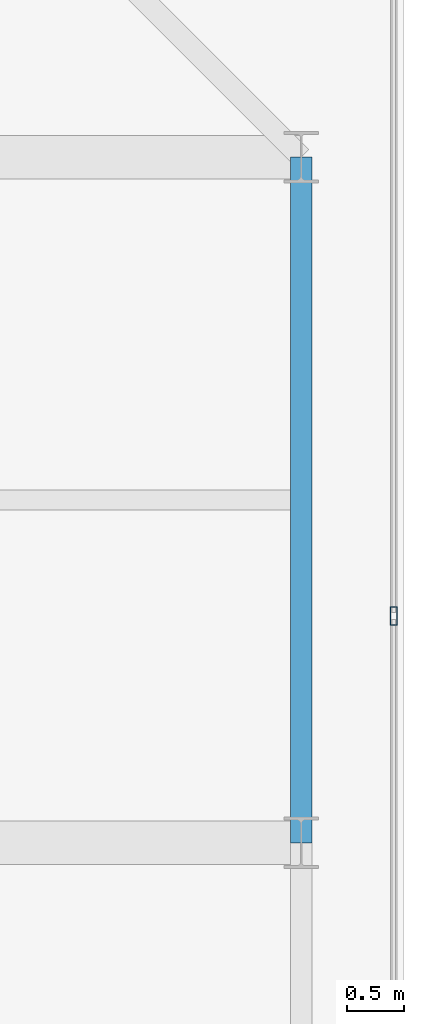
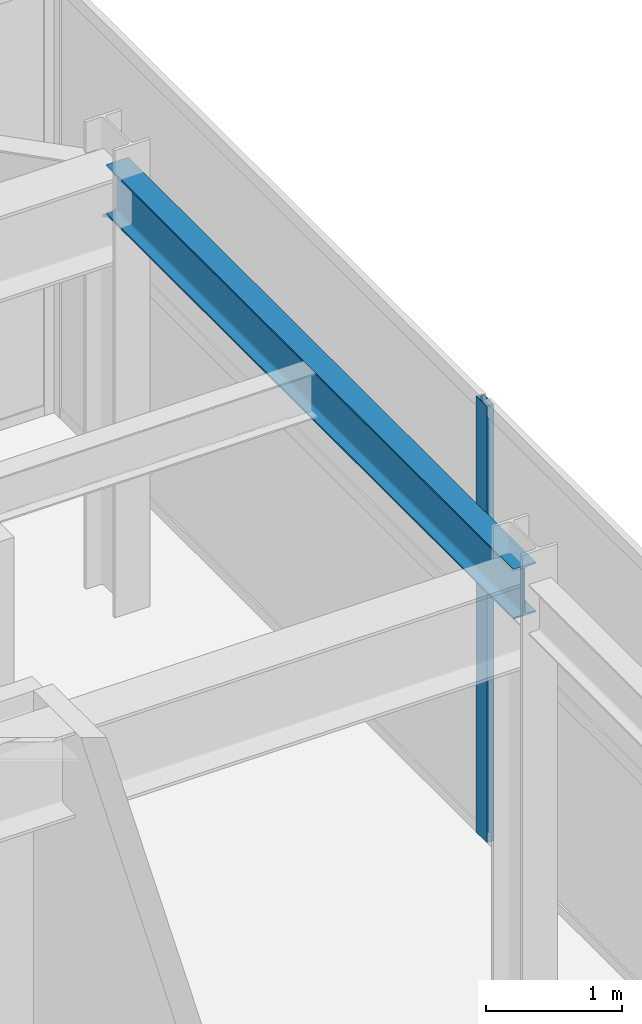
# One storey, part 19 of 32: 1 beam, 1 member, 1 element without a shape of its own.
"""IFC4 building model written with IfcOpenShell, lengths in metres."""

from ifc_helpers import new_model, si_unit, direction, frame, origin, origin_2d, place, context, subcontext, project, spatial, hollow_rectangle, i_section, extrude, source, transform, mapped, material, layer, layer_set, material_profile, profile_set, type_object, element, aggregate, save


model = new_model("IFC4")

# Units and contexts
model_context = context("Model", 3, precision=1e-05, world=origin(), true_north=direction((0.0, 1.0)))
body_context = subcontext(model_context, "Body", "Model", "MODEL_VIEW")
ifc_project = project(units=[si_unit("LENGTHUNIT", "METRE"), si_unit("AREAUNIT", "SQUARE_METRE"), si_unit("VOLUMEUNIT", "CUBIC_METRE"), si_unit("PLANEANGLEUNIT", "RADIAN"), si_unit("MASSUNIT", "GRAM", prefix="KILO")], contexts=[model_context])

# Site, building, storey
site_placement = place(None, origin())
site = spatial("IfcSite", under=ifc_project, at=site_placement, CompositionType="ELEMENT")
building_placement = place(site_placement, origin())
building = spatial("IfcBuilding", under=site, at=building_placement, Name="Khoralis Quay Care Tower", CompositionType="ELEMENT")
storey_placement = place(building_placement, frame((0.0, 0.0, 297.89990234375)))
storey = spatial("IfcBuildingStorey", under=building, at=storey_placement, Name="L78", CompositionType="ELEMENT", Elevation=297.89990234375)

# Beam
ifc_material_1 = material(Name="Steel S355", Category="steel")
ifc_material_profile_1 = material_profile(ifc_material_1, i_section(OverallWidth=0.18994140625, OverallDepth=0.449951171875, WebThickness=0.009521484375, FlangeThickness=0.0146484375, FilletRadius=0.02099609375, at=origin_2d()), Name="Steel S355")
ifc_profile_set_1 = profile_set([ifc_material_profile_1], Name="Steel S355")
beam_type = type_object("IfcBeamType", Name="BM-IPE450", PredefinedType="SPANDREL", material=ifc_profile_set_1)
shared_shape_1 = source(origin(), body_context, "Body", "SweptSolid", [
    extrude(i_section(OverallWidth=0.18994140625, OverallDepth=0.449951171875, WebThickness=0.009521484375, FlangeThickness=0.0146484375, FilletRadius=0.02099609375, at=origin_2d()), origin(), (0.0, 0.0, 1.0), 6.0),
])
beam_placement = place(storey_placement, frame((41.10009765625, 30.0, 3.695068359375), z_axis=(0.0, 1.0, 0.0), x_axis=(-1.0, 0.0, 0.0)))
element("IfcBeam", 1, at=beam_placement, inside=storey, type_object=beam_type, Name="BM-TSP-L78-16", PredefinedType="SPANDREL", context=body_context, shape_type="MappedRepresentation", body=[
    mapped(shared_shape_1, transform((0.0, 0.0, 0.0), scale=1.0)),
])

# Curtain wall, member
ifc_material_2 = material(Name="Pale anodised aluminium", Category="aluminium")
ifc_layer = layer(ifc_material_2, 0.199951171875)
ifc_layer_set = layer_set([ifc_layer], Name="Pale anodised aluminium")
curtain_wall_type = type_object("IfcCurtainWallType", Name="CW-SYS-LANTERN", PredefinedType="NOTDEFINED", material=ifc_layer_set)
curtain_wall_placement = place(storey_placement, origin())
curtain_wall = element("IfcCurtainWall", 2, at=curtain_wall_placement, inside=storey, type_object=curtain_wall_type, Name="L78 Unitised Curtain Wall CW-LN-L78-06", PredefinedType="NOTDEFINED")
ifc_material_profile_2 = material_profile(ifc_material_2, hollow_rectangle(XDim=0.06005859375, YDim=0.159912109375, WallThickness=0.00390625, at=origin_2d()), Name="Pale anodised aluminium")
ifc_profile_set_2 = profile_set([ifc_material_profile_2], Name="Pale anodised aluminium")
member_type = type_object("IfcMemberType", Name="CW-MUL-160", PredefinedType="MULLION", material=ifc_profile_set_2)
shared_shape_2 = source(origin(), body_context, "Body", "SweptSolid", [
    extrude(hollow_rectangle(XDim=0.06005859375, YDim=0.159912109375, WallThickness=0.00390625, at=origin_2d()), origin(), (0.0, 0.0, 1.0), 3.920166015625),
])
member_placement = place(storey_placement, frame((41.909912109375, 31.986083984375, 0.0), z_axis=(0.0, 0.0, 1.0), x_axis=(-1.0, 0.0, 0.0)))
member = element("IfcMember", 3, at=member_placement, type_object=member_type, Name="CW5 mullion 5", PredefinedType="MULLION", context=body_context, shape_type="MappedRepresentation", body=[
    mapped(shared_shape_2, transform((0.0, 0.0, 0.0), scale=1.0)),
])
aggregate(curtain_wall, [member])

save(model, "model.ifc")
